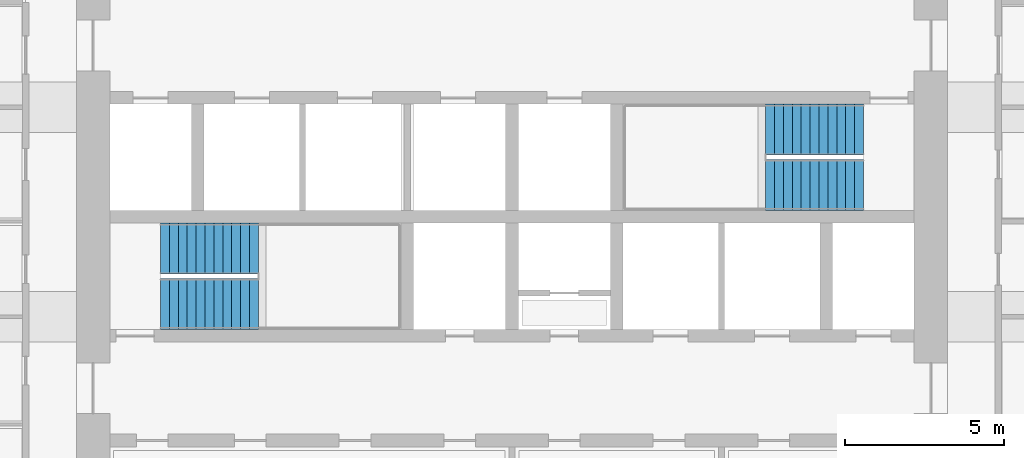
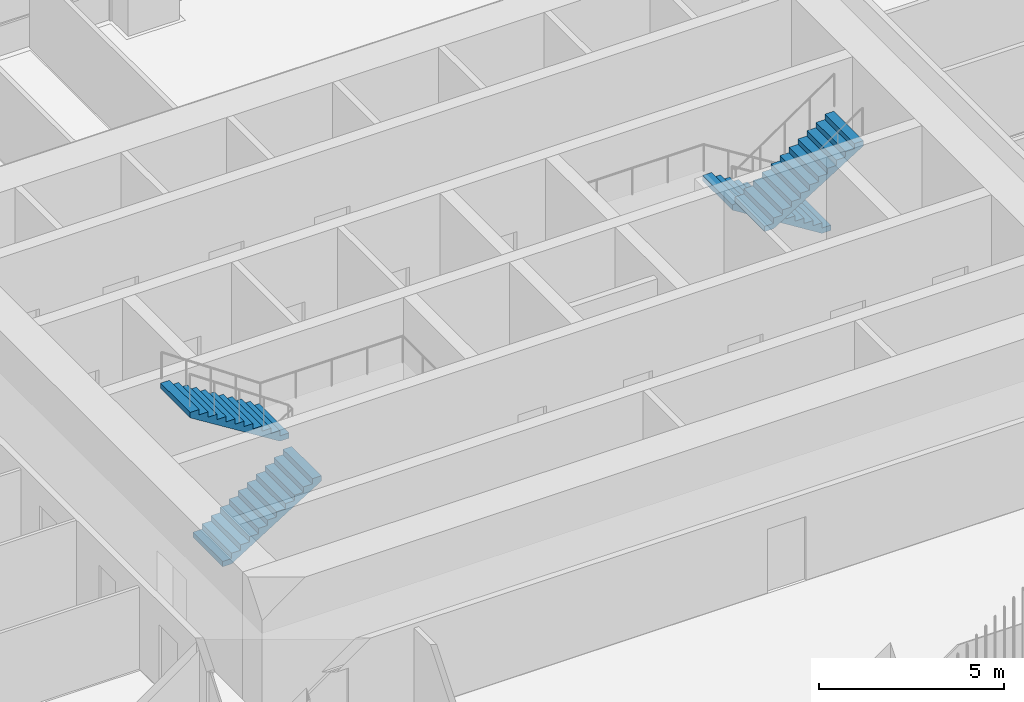
# One storey, part 15 of 20: 4 stair flights, 2 elements without a shape of their own.
"""IFC4 building model written with IfcOpenShell, lengths in metres."""

import ifcopenshell
import ifcopenshell.guid

model = None  # the IFC model being written
_history = None  # IfcOwnerHistory: only IFC2X3 demands one
_inside = {}  # id of a spatial element -> (the spatial element, [elements in it])
_under = {}  # id of a project, library or spatial element -> (it, [spatial elements below it])
_declared = {}  # id of a project -> (the project, [libraries it declares])
_typed = {}  # id of a type object -> (the type object, [elements of that type])
_made_of = {}  # id of a material, layer set ... -> (it, [elements and type objects made of it])


def new_model(schema):
    """Start an empty IFC model of exactly this schema.

    Asked for "IFC4X3", IfcOpenShell would pick the latest addendum, in which some entities
    have other attributes; the version numbers below select the first issue.
    IFC2X3 requires an IfcOwnerHistory on every rooted entity: one is made here for all.
    """
    global model, _history
    if schema == "IFC4X3":
        model = ifcopenshell.file(schema_version=(4, 3, 0, 0))
    else:
        model = ifcopenshell.file(schema=schema)
    _inside.clear()
    _under.clear()
    _declared.clear()
    _typed.clear()
    _made_of.clear()
    _history = None
    if model.schema == "IFC2X3":
        org = make("IfcOrganization", Name="unknown")
        user = make(
            "IfcPersonAndOrganization",
            ThePerson=make("IfcPerson", FamilyName="unknown"),
            TheOrganization=org,
        )
        app = make(
            "IfcApplication",
            ApplicationDeveloper=org,
            Version="unknown",
            ApplicationFullName="unknown",
            ApplicationIdentifier="unknown",
        )
        _history = make(
            "IfcOwnerHistory",
            OwningUser=user,
            OwningApplication=app,
            ChangeAction="ADDED",
            CreationDate=0,
        )
    return model


def make(cls, **values):
    """One entity of the class cls with the attributes given. An attribute that is None is left unset."""
    return model.create_entity(
        cls, **{name: value for name, value in values.items() if value is not None}
    )


def rooted(cls, **values):
    """An entity with a GlobalId (a new one), such as an element, a storey or a relation."""
    return make(cls, GlobalId=ifcopenshell.guid.new(), OwnerHistory=_history, **values)


def si_unit(unit_type, name, prefix=None):
    """IfcSIUnit, for example si_unit("LENGTHUNIT", "METRE", prefix="MILLI")."""
    return make("IfcSIUnit", UnitType=unit_type, Prefix=prefix, Name=name)


def assignment(units):
    """IfcUnitAssignment: the units of a project."""
    return None if units is None else make("IfcUnitAssignment", Units=units)


def point(xyz):
    """IfcCartesianPoint."""
    return None if xyz is None else make("IfcCartesianPoint", Coordinates=xyz)


def direction(xyz):
    """IfcDirection."""
    return None if xyz is None else make("IfcDirection", DirectionRatios=xyz)


def frame(location, z_axis=None, x_axis=None):
    """IfcAxis2Placement3D, a coordinate frame: its origin and axes. An axis left out is left unset."""
    return make(
        "IfcAxis2Placement3D",
        Location=point(location),
        Axis=direction(z_axis),
        RefDirection=direction(x_axis),
    )


def origin():
    """The frame at (0, 0, 0) with its axes left unset."""
    return frame((0.0, 0.0, 0.0))


def place(relative_to, where):
    """IfcLocalPlacement: puts the frame where relative to a parent placement (None: the world)."""
    return make(
        "IfcLocalPlacement", PlacementRelTo=relative_to, RelativePlacement=where
    )


def context(
    kind, dimensions, precision=None, world=None, true_north=None, identifier=None
):
    """IfcGeometricRepresentationContext, for example the 3D "Model" context."""
    return make(
        "IfcGeometricRepresentationContext",
        ContextIdentifier=identifier,
        ContextType=kind,
        CoordinateSpaceDimension=dimensions,
        Precision=precision,
        WorldCoordinateSystem=world,
        TrueNorth=true_north,
    )


def subcontext(parent, identifier, kind, view, scale=None):
    """IfcGeometricRepresentationSubContext, for example "Body" below "Model"."""
    return make(
        "IfcGeometricRepresentationSubContext",
        ContextIdentifier=identifier,
        ContextType=kind,
        ParentContext=parent,
        TargetScale=scale,
        TargetView=view,
    )


def project(units=None, contexts=None):
    """IfcProject with its units and contexts."""
    return rooted(
        "IfcProject",
        Name="project",
        RepresentationContexts=contexts,
        UnitsInContext=assignment(units),
    )


def spatial(cls, under=None, at=None, **own):
    """A site, building, storey or space (cls), placed at a placement, below another one or the project."""
    s = rooted(cls, ObjectPlacement=at, **own)
    if under is not None:
        _under.setdefault(under.id(), (under, []))[1].append(s)
    return s


def polyline(points):
    """IfcPolyline through the points."""
    return make("IfcPolyline", Points=[point(p) for p in points])


def outline(outer, holes=None, kind="AREA"):
    """IfcArbitraryClosedProfileDef: a profile drawn as a closed curve; with holes, ...WithVoids."""
    if holes is None:
        return make("IfcArbitraryClosedProfileDef", ProfileType=kind, OuterCurve=outer)
    return make(
        "IfcArbitraryProfileDefWithVoids",
        ProfileType=kind,
        OuterCurve=outer,
        InnerCurves=holes,
    )


def extrude(swept, where, along, depth):
    """IfcExtrudedAreaSolid: the profile swept, set in the frame where, extruded along a direction by depth."""
    return make(
        "IfcExtrudedAreaSolid",
        SweptArea=swept,
        Position=where,
        ExtrudedDirection=direction(along),
        Depth=depth,
    )


def shape(context_of_items, identifier, shape_type, items):
    """IfcShapeRepresentation: the items that make up one representation, for example the "Body"."""
    return make(
        "IfcShapeRepresentation",
        ContextOfItems=context_of_items,
        RepresentationIdentifier=identifier,
        RepresentationType=shape_type,
        Items=items,
    )


def material(Name=None, Category=None):
    """IfcMaterial."""
    return make("IfcMaterial", Name=Name, Category=Category)


def made_of(thing, what):
    """Note that an element or type object is made of a material, layer set ...; save() writes the relation."""
    if what is not None:
        _made_of.setdefault(what.id(), (what, []))[1].append(thing)
    return thing


def type_object(cls, material=None, **own):
    """A type object (cls), such as IfcWallType, which elements share."""
    return made_of(rooted(cls, **own), material)


def element(
    cls,
    number,
    at=None,
    inside=None,
    cuts=None,
    type_object=None,
    material=None,
    context=None,
    identifier="Body",
    shape_type=None,
    held_by="IfcProductDefinitionShape",
    body=None,
    shapes=None,
    **own,
):
    """One element of the class cls, such as IfcWall. Its Tag is "e" and its number.

    at: its placement. inside: the storey or other place that contains it. cuts: it is an
    opening in that element (IfcRelVoidsElement). A single representation is given by context,
    identifier, shape_type and body (its items); several are given by shapes. held_by: the class
    of the entity that holds the representations. save() writes the other relations.
    """
    e = rooted(cls, Tag="e%d" % number, ObjectPlacement=at, **own)
    if body is not None:
        shapes = [shape(context, identifier, shape_type, body)]
    if shapes is not None:
        e.Representation = make(held_by, Representations=shapes)
    if inside is not None:
        _inside.setdefault(inside.id(), (inside, []))[1].append(e)
    if cuts is not None:
        rooted(
            "IfcRelVoidsElement", RelatingBuildingElement=cuts, RelatedOpeningElement=e
        )
    if type_object is not None:
        _typed.setdefault(type_object.id(), (type_object, []))[1].append(e)
    return made_of(e, material)


def aggregate(whole, parts):
    """IfcRelAggregates: a whole, such as a stair, and the parts it consists of."""
    return rooted("IfcRelAggregates", RelatingObject=whole, RelatedObjects=parts)


def save(model, path):
    """Write the relations noted so far, then the file.

    IfcRelAggregates (storeys below a building ...), IfcRelContainedInSpatialStructure (elements
    in a storey), IfcRelDefinesByType, IfcRelAssociatesMaterial and IfcRelDeclares: one each for
    every whole, place, type object, material and project.
    """
    for whole, parts in _under.values():
        aggregate(whole, parts)
    for where, things in _inside.values():
        rooted(
            "IfcRelContainedInSpatialStructure",
            RelatedElements=things,
            RelatingStructure=where,
        )
    for kind, things in _typed.values():
        rooted("IfcRelDefinesByType", RelatedObjects=things, RelatingType=kind)
    for what, things in _made_of.values():
        rooted("IfcRelAssociatesMaterial", RelatedObjects=things, RelatingMaterial=what)
    for by, libraries in _declared.values():
        rooted("IfcRelDeclares", RelatingContext=by, RelatedDefinitions=libraries)
    model.write(path)


model = new_model("IFC4")

# Units and contexts
model_context = context("Model", 3, precision=1e-05, world=origin(), true_north=direction((0.0, 1.0)))
body_context = subcontext(model_context, "Body", "Model", "MODEL_VIEW")
ifc_project = project(units=[si_unit("LENGTHUNIT", "METRE"), si_unit("AREAUNIT", "SQUARE_METRE"), si_unit("VOLUMEUNIT", "CUBIC_METRE"), si_unit("PLANEANGLEUNIT", "RADIAN"), si_unit("MASSUNIT", "GRAM", prefix="KILO")], contexts=[model_context])

# Site, building, storey
site_placement = place(None, origin())
site = spatial("IfcSite", under=ifc_project, at=site_placement, CompositionType="ELEMENT")
building_placement = place(site_placement, origin())
building = spatial("IfcBuilding", under=site, at=building_placement, Name="Cobogo Forest Laboratory Tower", CompositionType="ELEMENT")
storey_placement = place(building_placement, frame((0.0, 0.0, 201.89990234375)))
storey = spatial("IfcBuildingStorey", under=building, at=storey_placement, Name="L46", CompositionType="ELEMENT", Elevation=201.89990234375)

# Stair, stair flights
ifc_material = material(Name="Precast concrete HA-40 (C40/50)", Category="concrete")
stair_type = type_object("IfcStairType", Name="ST24 exit stair 24 risers", PredefinedType="HALF_TURN_STAIR", material=ifc_material)
stair_1_placement = place(storey_placement, origin())
stair_1 = element("IfcStair", 1, at=stair_1_placement, inside=storey, type_object=stair_type, Name="Stair 1 L46 to L47", PredefinedType="HALF_TURN_STAIR")
stair_flight_type = type_object("IfcStairFlightType", Name="ST stair flight 280 going", PredefinedType="STRAIGHT", material=ifc_material)
stair_flight_1_placement = place(storey_placement, frame((15.324951171875, 20.199951171875, 0.0), z_axis=(0.0, 0.0, 1.0), x_axis=(1.0, 0.0, 0.0)))
stair_flight_1 = element("IfcStairFlight", 2, at=stair_flight_1_placement, type_object=stair_flight_type, Name="ST1 flight 1", NumberOfRisers=12, NumberOfTreads=11, PredefinedType="STRAIGHT", RiserHeight=0.175, TreadLength=0.28, context=body_context, shape_type="SweptSolid", body=[
    extrude(outline(polyline([(0.0, 0.0), (0.0, 0.175048828125), (0.280029296875, 0.175048828125), (0.280029296875, 0.35009765625), (0.56005859375, 0.35009765625), (0.56005859375, 0.52490234375), (0.840087890625, 0.52490234375), (0.840087890625, 0.699951171875), (1.1201171875, 0.699951171875), (1.1201171875, 0.875), (1.39990234375, 0.875), (1.39990234375, 1.050048828125), (1.679931640625, 1.050048828125), (1.679931640625, 1.22509765625), (1.9599609375, 1.22509765625), (1.9599609375, 1.39990234375), (2.239990234375, 1.39990234375), (2.239990234375, 1.574951171875), (2.52001953125, 1.574951171875), (2.52001953125, 1.75), (2.800048828125, 1.75), (2.800048828125, 1.925048828125), (3.080078125, 1.925048828125), (3.080078125, 2.10009765625), (3.080078125, 1.748291015625), (0.28271484375, 0.0), (0.0, 0.0)])), frame((0.0, 0.800048828125, 0.0), z_axis=(0.0, -1.0, 0.0), x_axis=(1.0, 0.0, 0.0)), (0.0, 0.0, 1.0), 1.60009765625),
])
stair_flight_2_placement = place(storey_placement, frame((18.405029296875, 21.949951171875, 2.10009765625), z_axis=(0.0, 0.0, 1.0), x_axis=(-1.0, 0.0, 0.0)))
stair_flight_2 = element("IfcStairFlight", 3, at=stair_flight_2_placement, type_object=stair_flight_type, Name="ST1 flight 2", NumberOfRisers=12, NumberOfTreads=11, PredefinedType="STRAIGHT", RiserHeight=0.175, TreadLength=0.28, context=body_context, shape_type="SweptSolid", body=[
    extrude(outline(polyline([(0.0, 0.0), (0.0, 0.175048828125), (0.280029296875, 0.175048828125), (0.280029296875, 0.35009765625), (0.56005859375, 0.35009765625), (0.56005859375, 0.52490234375), (0.840087890625, 0.52490234375), (0.840087890625, 0.699951171875), (1.1201171875, 0.699951171875), (1.1201171875, 0.875), (1.39990234375, 0.875), (1.39990234375, 1.050048828125), (1.679931640625, 1.050048828125), (1.679931640625, 1.22509765625), (1.9599609375, 1.22509765625), (1.9599609375, 1.39990234375), (2.239990234375, 1.39990234375), (2.239990234375, 1.574951171875), (2.52001953125, 1.574951171875), (2.52001953125, 1.75), (2.800048828125, 1.75), (2.800048828125, 1.925048828125), (3.080078125, 1.925048828125), (3.080078125, 2.10009765625), (3.080078125, 1.748291015625), (0.28271484375, 0.0), (0.0, 0.0)])), frame((0.0, 0.800048828125, 0.0), z_axis=(0.0, -1.0, 0.0), x_axis=(1.0, 0.0, 0.0)), (0.0, 0.0, 1.0), 1.60009765625),
])
aggregate(stair_1, [stair_flight_1, stair_flight_2])

stair_2_placement = place(storey_placement, origin())
stair_2 = element("IfcStair", 4, at=stair_2_placement, inside=storey, type_object=stair_type, Name="Stair 2 L46 to L47", PredefinedType="HALF_TURN_STAIR")
stair_flight_3_placement = place(storey_placement, frame((37.47509765625, 25.699951171875, 0.0), z_axis=(0.0, 0.0, 1.0), x_axis=(-1.0, 0.0, 0.0)))
stair_flight_3 = element("IfcStairFlight", 5, at=stair_flight_3_placement, type_object=stair_flight_type, Name="ST2 flight 1", NumberOfRisers=12, NumberOfTreads=11, PredefinedType="STRAIGHT", RiserHeight=0.175, TreadLength=0.28, context=body_context, shape_type="SweptSolid", body=[
    extrude(outline(polyline([(0.0, 0.0), (0.0, 0.175048828125), (0.280029296875, 0.175048828125), (0.280029296875, 0.35009765625), (0.56005859375, 0.35009765625), (0.56005859375, 0.52490234375), (0.840087890625, 0.52490234375), (0.840087890625, 0.699951171875), (1.1201171875, 0.699951171875), (1.1201171875, 0.875), (1.39990234375, 0.875), (1.39990234375, 1.050048828125), (1.679931640625, 1.050048828125), (1.679931640625, 1.22509765625), (1.9599609375, 1.22509765625), (1.9599609375, 1.39990234375), (2.239990234375, 1.39990234375), (2.239990234375, 1.574951171875), (2.52001953125, 1.574951171875), (2.52001953125, 1.75), (2.800048828125, 1.75), (2.800048828125, 1.925048828125), (3.080078125, 1.925048828125), (3.080078125, 2.10009765625), (3.080078125, 1.748291015625), (0.28271484375, 0.0), (0.0, 0.0)])), frame((0.0, 0.800048828125, 0.0), z_axis=(0.0, -1.0, 0.0), x_axis=(1.0, 0.0, 0.0)), (0.0, 0.0, 1.0), 1.60009765625),
])
stair_flight_4_placement = place(storey_placement, frame((34.39501953125, 23.949951171875, 2.10009765625), z_axis=(0.0, 0.0, 1.0), x_axis=(1.0, 0.0, 0.0)))
stair_flight_4 = element("IfcStairFlight", 6, at=stair_flight_4_placement, type_object=stair_flight_type, Name="ST2 flight 2", NumberOfRisers=12, NumberOfTreads=11, PredefinedType="STRAIGHT", RiserHeight=0.175, TreadLength=0.28, context=body_context, shape_type="SweptSolid", body=[
    extrude(outline(polyline([(0.0, 0.0), (0.0, 0.175048828125), (0.280029296875, 0.175048828125), (0.280029296875, 0.35009765625), (0.56005859375, 0.35009765625), (0.56005859375, 0.52490234375), (0.840087890625, 0.52490234375), (0.840087890625, 0.699951171875), (1.1201171875, 0.699951171875), (1.1201171875, 0.875), (1.39990234375, 0.875), (1.39990234375, 1.050048828125), (1.679931640625, 1.050048828125), (1.679931640625, 1.22509765625), (1.9599609375, 1.22509765625), (1.9599609375, 1.39990234375), (2.239990234375, 1.39990234375), (2.239990234375, 1.574951171875), (2.52001953125, 1.574951171875), (2.52001953125, 1.75), (2.800048828125, 1.75), (2.800048828125, 1.925048828125), (3.080078125, 1.925048828125), (3.080078125, 2.10009765625), (3.080078125, 1.748291015625), (0.28271484375, 0.0), (0.0, 0.0)])), frame((0.0, 0.800048828125, 0.0), z_axis=(0.0, -1.0, 0.0), x_axis=(1.0, 0.0, 0.0)), (0.0, 0.0, 1.0), 1.60009765625),
])
aggregate(stair_2, [stair_flight_3, stair_flight_4])

save(model, "model.ifc")
